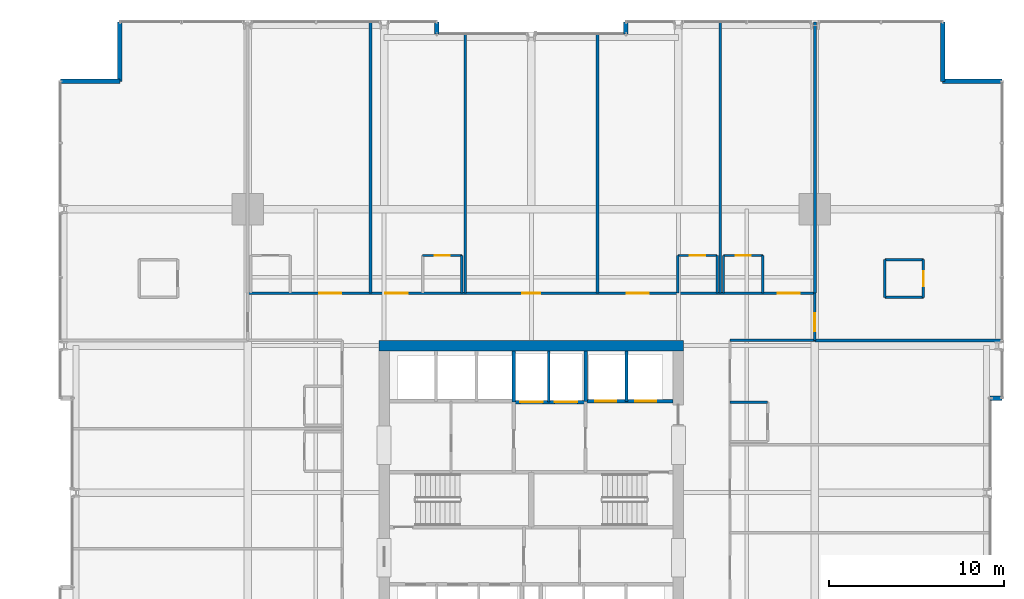
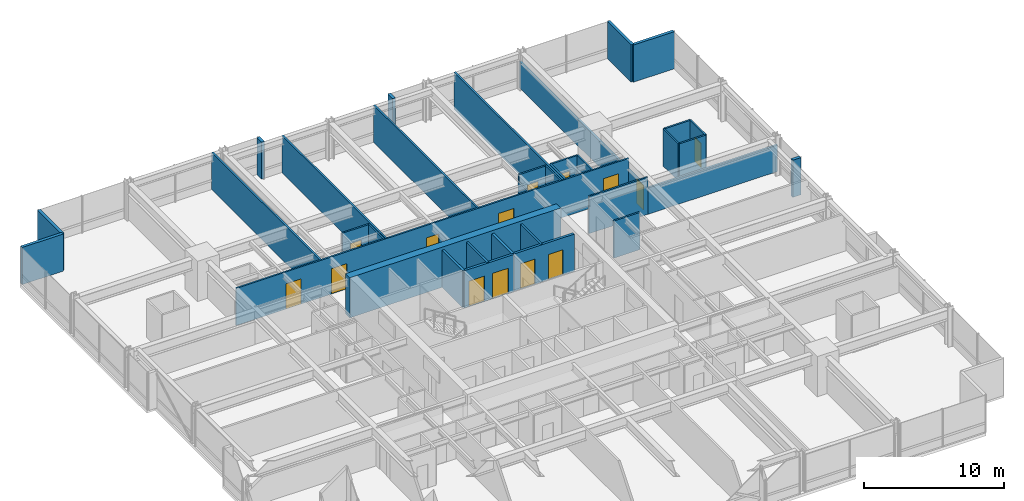
# One storey, part 33 of 38: 36 walls, 14 doors, 14 openings.
"""IFC4 building model written with IfcOpenShell, lengths in metres."""

from ifc_helpers import new_model, si_unit, direction, frame, frame_2d, origin, place, context, subcontext, project, spatial, rectangle, extrude, material, layer, layer_set, type_object, element, fill, save


model = new_model("IFC4")

# Units and contexts
model_context = context("Model", 3, precision=1e-05, world=origin(), true_north=direction((0.0, 1.0)))
body_context = subcontext(model_context, "Body", "Model", "MODEL_VIEW")
ifc_project = project(units=[si_unit("LENGTHUNIT", "METRE"), si_unit("AREAUNIT", "SQUARE_METRE"), si_unit("VOLUMEUNIT", "CUBIC_METRE"), si_unit("PLANEANGLEUNIT", "RADIAN"), si_unit("MASSUNIT", "GRAM", prefix="KILO")], contexts=[model_context])

# Site, building, storey
site_placement = place(None, origin())
site = spatial("IfcSite", under=ifc_project, at=site_placement, CompositionType="ELEMENT")
building_placement = place(site_placement, origin())
building = spatial("IfcBuilding", under=site, at=building_placement, Name="Drelvath Grand Hotel", CompositionType="ELEMENT")
storey_placement = place(building_placement, frame((0.0, 0.0, 57.699951171875)))
storey = spatial("IfcBuildingStorey", under=building, at=storey_placement, Name="L13", CompositionType="ELEMENT", Elevation=57.699951171875)

# Wall, openings, doors
ifc_material_1 = material(Name="Concrete C40/50", Category="concrete")
ifc_layer_1 = layer(ifc_material_1, 0.199951171875)
ifc_layer_set_1 = layer_set([ifc_layer_1], Name="Concrete C40/50")
wall_type_1 = type_object("IfcWallType", Name="Core Hoistway Fire Wall 200", PredefinedType="SOLIDWALL", material=ifc_layer_set_1)
wall_1_placement = place(storey_placement, frame((3.10009765625, 32.219970703125, 0.0), z_axis=(0.0, 0.0, 1.0), x_axis=(1.0, 0.0, 0.0)))
wall_1 = element("IfcWall", 1, at=wall_1_placement, inside=storey, type_object=wall_type_1, Name="L13 FSAE Hoistway Front Wall", PredefinedType="SOLIDWALL", context=body_context, shape_type="SweptSolid", body=[
    extrude(rectangle(XDim=5.0, YDim=0.199951171875, at=frame_2d((2.5, 0.0))), origin(), (0.0, 0.0, 1.0), 3.239990234375),
])
opening_1_placement = place(wall_1_placement, frame((0.550048828125, 0.0, 0.0)))
opening_1 = element("IfcOpeningElement", 2, at=opening_1_placement, cuts=wall_1, Name="Opening LD-FSAE-1", PredefinedType="OPENING", context=body_context, shape_type="SweptSolid", body=[
    extrude(rectangle(XDim=1.199951171875, YDim=2.199951171875, at=frame_2d((0.60009765625, 1.10009765625))), frame((0.0, 0.10986328125, 0.0), z_axis=(0.0, -1.0, 0.0), x_axis=(1.0, 0.0, 0.0)), (0.0, 0.0, 1.0), 0.219970703125),
])
opening_2_placement = place(wall_1_placement, frame((2.85009765625, 0.0, 0.0)))
opening_2 = element("IfcOpeningElement", 3, at=opening_2_placement, cuts=wall_1, Name="Opening LD-FSAE-2", PredefinedType="OPENING", context=body_context, shape_type="SweptSolid", body=[
    extrude(rectangle(XDim=1.199951171875, YDim=2.199951171875, at=frame_2d((0.60009765625, 1.10009765625))), frame((0.0, 0.10986328125, 0.0), z_axis=(0.0, -1.0, 0.0), x_axis=(1.0, 0.0, 0.0)), (0.0, 0.0, 1.0), 0.219970703125),
])
ifc_material_2 = material(Name="Stainless Steel S355", Category="steel")
door_type_1 = type_object("IfcDoorType", Name="FSAE Lift Sliding Landing Door 1200x2200", OperationType="NOTDEFINED", PredefinedType="DOOR", material=ifc_material_2)
door_1_placement = place(opening_1_placement, origin())
door_1 = element("IfcDoor", 4, at=door_1_placement, inside=storey, type_object=door_type_1, Name="L13 Lift FSAE-1 Landing Door", OperationType="SLIDING_TO_LEFT", OverallHeight=2.199951171875, OverallWidth=1.199951171875, PredefinedType="DOOR", context=body_context, shape_type="SweptSolid", body=[
    extrude(rectangle(XDim=1.199951171875, YDim=2.199951171875, at=frame_2d((0.60009765625, 1.10009765625))), frame((0.0, 0.02490234375, 0.0), z_axis=(0.0, -1.0, 0.0), x_axis=(1.0, 0.0, 0.0)), (0.0, 0.0, 1.0), 0.050048828125),
])
fill(opening_1, door_1)
door_2_placement = place(opening_2_placement, origin())
door_2 = element("IfcDoor", 5, at=door_2_placement, inside=storey, type_object=door_type_1, Name="L13 Lift FSAE-2 Landing Door", OperationType="SLIDING_TO_LEFT", OverallHeight=2.199951171875, OverallWidth=1.199951171875, PredefinedType="DOOR", context=body_context, shape_type="SweptSolid", body=[
    extrude(rectangle(XDim=1.199951171875, YDim=2.199951171875, at=frame_2d((0.60009765625, 1.10009765625))), frame((0.0, 0.02490234375, 0.0), z_axis=(0.0, -1.0, 0.0), x_axis=(1.0, 0.0, 0.0)), (0.0, 0.0, 1.0), 0.050048828125),
])
fill(opening_2, door_2)

# Wall
wall_2_placement = place(storey_placement, frame((3.10009765625, 32.219970703125, 0.0), z_axis=(0.0, 0.0, 1.0), x_axis=(0.0, 1.0, 0.0)))
element("IfcWall", 6, at=wall_2_placement, inside=storey, type_object=wall_type_1, Name="L13 FSAE Hoistway West Wall", PredefinedType="SOLIDWALL", context=body_context, shape_type="SweptSolid", body=[
    extrude(rectangle(XDim=2.880126953125, YDim=0.199951171875, at=frame_2d((1.43994140625, 0.0))), origin(), (0.0, 0.0, 1.0), 3.239990234375),
])

# Wall, openings, doors
wall_3_placement = place(storey_placement, frame((-1.0, 32.179931640625, 0.0), z_axis=(0.0, 0.0, 1.0), x_axis=(1.0, 0.0, 0.0)))
wall_3 = element("IfcWall", 7, at=wall_3_placement, inside=storey, type_object=wall_type_1, Name="L13 Service Lift Hoistway Wall", PredefinedType="SOLIDWALL", context=body_context, shape_type="SweptSolid", body=[
    extrude(rectangle(XDim=4.10009765625, YDim=0.199951171875, at=frame_2d((2.050048828125, 0.0))), origin(), (0.0, 0.0, 1.0), 3.239990234375),
])
opening_3_placement = place(wall_3_placement, frame((0.3701171875, 0.0, 0.0)))
opening_3 = element("IfcOpeningElement", 8, at=opening_3_placement, cuts=wall_3, Name="Opening LD-SV-2", PredefinedType="OPENING", context=body_context, shape_type="SweptSolid", body=[
    extrude(rectangle(XDim=1.300048828125, YDim=2.199951171875, at=frame_2d((0.64990234375, 1.10009765625))), frame((0.0, 0.10986328125, 0.0), z_axis=(0.0, -1.0, 0.0), x_axis=(1.0, 0.0, 0.0)), (0.0, 0.0, 1.0), 0.219970703125),
])
opening_4_placement = place(wall_3_placement, frame((2.330078125, 0.0, 0.0)))
opening_4 = element("IfcOpeningElement", 9, at=opening_4_placement, cuts=wall_3, Name="Opening LD-SV-1", PredefinedType="OPENING", context=body_context, shape_type="SweptSolid", body=[
    extrude(rectangle(XDim=1.300048828125, YDim=2.199951171875, at=frame_2d((0.64990234375, 1.10009765625))), frame((0.0, 0.10986328125, 0.0), z_axis=(0.0, -1.0, 0.0), x_axis=(1.0, 0.0, 0.0)), (0.0, 0.0, 1.0), 0.219970703125),
])
door_type_2 = type_object("IfcDoorType", Name="Service Lift Sliding Landing Door 1300x2200", OperationType="NOTDEFINED", PredefinedType="DOOR", material=ifc_material_2)
door_3_placement = place(opening_3_placement, origin())
door_3 = element("IfcDoor", 10, at=door_3_placement, inside=storey, type_object=door_type_2, Name="L13 Lift SV-2 Landing Door", OperationType="SLIDING_TO_LEFT", OverallHeight=2.199951171875, OverallWidth=1.300048828125, PredefinedType="DOOR", context=body_context, shape_type="SweptSolid", body=[
    extrude(rectangle(XDim=1.300048828125, YDim=2.199951171875, at=frame_2d((0.64990234375, 1.10009765625))), frame((0.0, 0.02490234375, 0.0), z_axis=(0.0, -1.0, 0.0), x_axis=(1.0, 0.0, 0.0)), (0.0, 0.0, 1.0), 0.050048828125),
])
fill(opening_3, door_3)
door_4_placement = place(opening_4_placement, origin())
door_4 = element("IfcDoor", 11, at=door_4_placement, inside=storey, type_object=door_type_2, Name="L13 Lift SV-1 Landing Door", OperationType="SLIDING_TO_LEFT", OverallHeight=2.199951171875, OverallWidth=1.300048828125, PredefinedType="DOOR", context=body_context, shape_type="SweptSolid", body=[
    extrude(rectangle(XDim=1.300048828125, YDim=2.199951171875, at=frame_2d((0.64990234375, 1.10009765625))), frame((0.0, 0.02490234375, 0.0), z_axis=(0.0, -1.0, 0.0), x_axis=(1.0, 0.0, 0.0)), (0.0, 0.0, 1.0), 0.050048828125),
])
fill(opening_4, door_4)

# Walls
wall_4_placement = place(storey_placement, frame((-1.0, 32.179931640625, 0.0), z_axis=(0.0, 0.0, 1.0), x_axis=(0.0, 1.0, 0.0)))
element("IfcWall", 12, at=wall_4_placement, inside=storey, type_object=wall_type_1, Name="L13 Service Lift West Wall", PredefinedType="SOLIDWALL", context=body_context, shape_type="SweptSolid", body=[
    extrude(rectangle(XDim=2.920166015625, YDim=0.199951171875, at=frame_2d((1.4599609375, 0.0))), origin(), (0.0, 0.0, 1.0), 3.239990234375),
])
ifc_material_3 = material(Name="Gypsum Fireboard Partition")
ifc_layer_2 = layer(ifc_material_3, 0.1650390625)
ifc_layer_set_2 = layer_set([ifc_layer_2], Name="Gypsum Fireboard Partition")
wall_type_2 = type_object("IfcWallType", Name="Core Shaft Partition 165", PredefinedType="PARTITIONING", material=ifc_layer_set_2)
wall_5_placement = place(storey_placement, frame((5.449951171875, 32.219970703125, 0.0), z_axis=(0.0, 0.0, 1.0), x_axis=(0.0, 1.0, 0.0)))
element("IfcWall", 13, at=wall_5_placement, inside=storey, type_object=wall_type_2, Name="L13 FSAE Hoistway Divider", PredefinedType="PARTITIONING", context=body_context, shape_type="SweptSolid", body=[
    extrude(rectangle(XDim=2.880126953125, YDim=0.1650390625, at=frame_2d((1.43994140625, 0.0))), origin(), (0.0, 0.0, 1.0), 3.239990234375),
])
wall_6_placement = place(storey_placement, frame((1.0, 32.179931640625, 0.0), z_axis=(0.0, 0.0, 1.0), x_axis=(0.0, 1.0, 0.0)))
element("IfcWall", 14, at=wall_6_placement, inside=storey, type_object=wall_type_2, Name="L13 Service Lift Divider", PredefinedType="PARTITIONING", context=body_context, shape_type="SweptSolid", body=[
    extrude(rectangle(XDim=2.920166015625, YDim=0.1650390625, at=frame_2d((1.4599609375, 0.0))), origin(), (0.0, 0.0, 1.0), 3.239990234375),
])

# Wall, openings, doors
ifc_layer_3 = layer(ifc_material_3, 0.135009765625)
ifc_layer_set_3 = layer_set([ifc_layer_3], Name="Gypsum Fireboard Partition")
wall_type_3 = type_object("IfcWallType", Name="Corridor Fire Barrier Wall 135", PredefinedType="PARTITIONING", material=ifc_layer_set_3)
wall_7_placement = place(storey_placement, frame((-16.199951171875, 38.39990234375, 0.0), z_axis=(0.0, 0.0, 1.0), x_axis=(1.0, 0.0, 0.0)))
wall_7 = element("IfcWall", 15, at=wall_7_placement, inside=storey, type_object=wall_type_3, Name="L13 North Corridor Wall", PredefinedType="PARTITIONING", context=body_context, shape_type="SweptSolid", body=[
    extrude(rectangle(XDim=32.39990234375, YDim=0.135009765625, at=frame_2d((16.199951171875, 0.0))), origin(), (0.0, 0.0, 1.0), 3.239990234375),
])
opening_5_placement = place(wall_7_placement, frame((4.094970703125, 0.0, 0.0)))
opening_5 = element("IfcOpeningElement", 16, at=opening_5_placement, cuts=wall_7, Name="Opening D-T1G3-035", PredefinedType="OPENING", context=body_context, shape_type="SweptSolid", body=[
    extrude(rectangle(XDim=1.260009765625, YDim=2.199951171875, at=frame_2d((0.6298828125, 1.10009765625))), frame((0.0, 0.077392578125, 0.0), z_axis=(0.0, -1.0, 0.0), x_axis=(1.0, 0.0, 0.0)), (0.0, 0.0, 1.0), 0.155029296875),
])
opening_6_placement = place(wall_7_placement, frame((7.875, 0.0, 0.0)))
opening_6 = element("IfcOpeningElement", 17, at=opening_6_placement, cuts=wall_7, Name="Opening D-T1G3-037", PredefinedType="OPENING", context=body_context, shape_type="SweptSolid", body=[
    extrude(rectangle(XDim=1.260009765625, YDim=2.199951171875, at=frame_2d((0.6298828125, 1.10009765625))), frame((0.0, 0.077392578125, 0.0), z_axis=(0.0, -1.0, 0.0), x_axis=(1.0, 0.0, 0.0)), (0.0, 0.0, 1.0), 0.155029296875),
])
opening_7_placement = place(wall_7_placement, frame((15.68994140625, 0.0, 0.0)))
opening_7 = element("IfcOpeningElement", 18, at=opening_7_placement, cuts=wall_7, Name="Opening D-T1G3-038", PredefinedType="OPENING", context=body_context, shape_type="SweptSolid", body=[
    extrude(rectangle(XDim=1.02001953125, YDim=2.14990234375, at=frame_2d((0.510009765625, 1.074951171875))), frame((0.0, 0.077392578125, 0.0), z_axis=(0.0, -1.0, 0.0), x_axis=(1.0, 0.0, 0.0)), (0.0, 0.0, 1.0), 0.155029296875),
])
opening_8_placement = place(wall_7_placement, frame((21.64501953125, 0.0, 0.0)))
opening_8 = element("IfcOpeningElement", 19, at=opening_8_placement, cuts=wall_7, Name="Opening D-T1G3-040", PredefinedType="OPENING", context=body_context, shape_type="SweptSolid", body=[
    extrude(rectangle(XDim=1.260009765625, YDim=2.199951171875, at=frame_2d((0.6298828125, 1.10009765625))), frame((0.0, 0.077392578125, 0.0), z_axis=(0.0, -1.0, 0.0), x_axis=(1.0, 0.0, 0.0)), (0.0, 0.0, 1.0), 0.155029296875),
])
opening_9_placement = place(wall_7_placement, frame((30.284912109375, 0.0, 0.0)))
opening_9 = element("IfcOpeningElement", 20, at=opening_9_placement, cuts=wall_7, Name="Opening D-T1G3-042", PredefinedType="OPENING", context=body_context, shape_type="SweptSolid", body=[
    extrude(rectangle(XDim=1.260009765625, YDim=2.199951171875, at=frame_2d((0.6298828125, 1.10009765625))), frame((0.0, 0.077392578125, 0.0), z_axis=(0.0, -1.0, 0.0), x_axis=(1.0, 0.0, 0.0)), (0.0, 0.0, 1.0), 0.155029296875),
])
ifc_material_4 = material(Name="Hardwood Walnut Timber", Category="wood")
door_type_3 = type_object("IfcDoorType", Name="Amenity Meeting Fire Door 1020x2150", OperationType="NOTDEFINED", PredefinedType="DOOR", material=ifc_material_4)
door_5_placement = place(opening_7_placement, origin())
door_5 = element("IfcDoor", 21, at=door_5_placement, inside=storey, type_object=door_type_3, Name="L13 Briefing Seminar Room Entry Door", OperationType="SINGLE_SWING_LEFT", OverallHeight=2.14990234375, OverallWidth=1.02001953125, PredefinedType="DOOR", context=body_context, shape_type="SweptSolid", body=[
    extrude(rectangle(XDim=1.02001953125, YDim=2.14990234375, at=frame_2d((0.510009765625, 1.074951171875))), frame((0.0, 0.02490234375, 0.0), z_axis=(0.0, -1.0, 0.0), x_axis=(1.0, 0.0, 0.0)), (0.0, 0.0, 1.0), 0.050048828125),
])
fill(opening_7, door_5)
door_type_4 = type_object("IfcDoorType", Name="Suite Entrance Fire Door 1260x2200", OperationType="NOTDEFINED", PredefinedType="DOOR", material=ifc_material_4)
door_6_placement = place(opening_5_placement, origin())
door_6 = element("IfcDoor", 22, at=door_6_placement, inside=storey, type_object=door_type_4, Name="L13 Corner Suite Entry Door", OperationType="SINGLE_SWING_RIGHT", OverallHeight=2.199951171875, OverallWidth=1.260009765625, PredefinedType="DOOR", context=body_context, shape_type="SweptSolid", body=[
    extrude(rectangle(XDim=1.260009765625, YDim=2.199951171875, at=frame_2d((0.6298828125, 1.10009765625))), frame((0.0, 0.02490234375, 0.0), z_axis=(0.0, -1.0, 0.0), x_axis=(1.0, 0.0, 0.0)), (0.0, 0.0, 1.0), 0.050048828125),
])
fill(opening_5, door_6)
door_7_placement = place(opening_6_placement, origin())
door_7 = element("IfcDoor", 23, at=door_7_placement, inside=storey, type_object=door_type_4, Name="L13 Corner Suite Entry Door", OperationType="SINGLE_SWING_RIGHT", OverallHeight=2.199951171875, OverallWidth=1.260009765625, PredefinedType="DOOR", context=body_context, shape_type="SweptSolid", body=[
    extrude(rectangle(XDim=1.260009765625, YDim=2.199951171875, at=frame_2d((0.6298828125, 1.10009765625))), frame((0.0, 0.02490234375, 0.0), z_axis=(0.0, -1.0, 0.0), x_axis=(1.0, 0.0, 0.0)), (0.0, 0.0, 1.0), 0.050048828125),
])
fill(opening_6, door_7)
door_8_placement = place(opening_8_placement, origin())
door_8 = element("IfcDoor", 24, at=door_8_placement, inside=storey, type_object=door_type_4, Name="L13 Corner Suite Entry Door", OperationType="SINGLE_SWING_LEFT", OverallHeight=2.199951171875, OverallWidth=1.260009765625, PredefinedType="DOOR", context=body_context, shape_type="SweptSolid", body=[
    extrude(rectangle(XDim=1.260009765625, YDim=2.199951171875, at=frame_2d((0.6298828125, 1.10009765625))), frame((0.0, 0.02490234375, 0.0), z_axis=(0.0, -1.0, 0.0), x_axis=(1.0, 0.0, 0.0)), (0.0, 0.0, 1.0), 0.050048828125),
])
fill(opening_8, door_8)
door_9_placement = place(opening_9_placement, origin())
door_9 = element("IfcDoor", 25, at=door_9_placement, inside=storey, type_object=door_type_4, Name="L13 Corner Suite Entry Door", OperationType="SINGLE_SWING_LEFT", OverallHeight=2.199951171875, OverallWidth=1.260009765625, PredefinedType="DOOR", context=body_context, shape_type="SweptSolid", body=[
    extrude(rectangle(XDim=1.260009765625, YDim=2.199951171875, at=frame_2d((0.6298828125, 1.10009765625))), frame((0.0, 0.02490234375, 0.0), z_axis=(0.0, -1.0, 0.0), x_axis=(1.0, 0.0, 0.0)), (0.0, 0.0, 1.0), 0.050048828125),
])
fill(opening_9, door_9)

# Wall
wall_8_placement = place(storey_placement, frame((11.35009765625, 35.699951171875, 0.0), z_axis=(0.0, 0.0, 1.0), x_axis=(1.0, 0.0, 0.0)))
element("IfcWall", 26, at=wall_8_placement, inside=storey, type_object=wall_type_3, Name="L13 NE Spur Inner Wall", PredefinedType="PARTITIONING", context=body_context, shape_type="SweptSolid", body=[
    extrude(rectangle(XDim=4.849853515625, YDim=0.135009765625, at=frame_2d((2.4248046875, 0.0))), origin(), (0.0, 0.0, 1.0), 3.239990234375),
])

# Wall, opening, door
wall_9_placement = place(storey_placement, frame((16.199951171875, 35.699951171875, 0.0), z_axis=(0.0, 0.0, 1.0), x_axis=(0.0, 1.0, 0.0)))
wall_9 = element("IfcWall", 27, at=wall_9_placement, inside=storey, type_object=wall_type_3, Name="L13 North Corridor East End", PredefinedType="PARTITIONING", context=body_context, shape_type="SweptSolid", body=[
    extrude(rectangle(XDim=2.699951171875, YDim=0.135009765625, at=frame_2d((1.35009765625, 0.0))), origin(), (0.0, 0.0, 1.0), 2.29833984375),
])
opening_10_placement = place(wall_9_placement, frame((0.52001953125, 0.0, 0.0)))
opening_10 = element("IfcOpeningElement", 28, at=opening_10_placement, cuts=wall_9, Name="Opening D-T1G3-024", PredefinedType="OPENING", context=body_context, shape_type="SweptSolid", body=[
    extrude(rectangle(XDim=1.02001953125, YDim=2.14990234375, at=frame_2d((0.510009765625, 1.074951171875))), frame((0.0, 0.077392578125, 0.0), z_axis=(0.0, -1.0, 0.0), x_axis=(1.0, 0.0, 0.0)), (0.0, 0.0, 1.0), 0.155029296875),
])
door_10_placement = place(opening_10_placement, origin())
door_10 = element("IfcDoor", 29, at=door_10_placement, inside=storey, type_object=door_type_3, Name="L13 Corner Suite Entry Door", OperationType="SINGLE_SWING_LEFT", OverallHeight=2.14990234375, OverallWidth=1.02001953125, PredefinedType="DOOR", context=body_context, shape_type="SweptSolid", body=[
    extrude(rectangle(XDim=1.02001953125, YDim=2.14990234375, at=frame_2d((0.510009765625, 1.074951171875))), frame((0.0, 0.02490234375, 0.0), z_axis=(0.0, -1.0, 0.0), x_axis=(1.0, 0.0, 0.0)), (0.0, 0.0, 1.0), 0.050048828125),
])
fill(opening_10, door_10)

# Walls
ifc_material_5 = material(Name="Moisture-Resistant Gypsum Board")
ifc_layer_4 = layer(ifc_material_5, 0.139892578125)
ifc_layer_set_4 = layer_set([ifc_layer_4], Name="Moisture-Resistant Gypsum Board")
wall_type_4 = type_object("IfcWallType", Name="En-Suite Plumbing Wall 140", PredefinedType="PLUMBINGWALL", material=ifc_layer_set_4)
for number, where, z_axis, x_axis, name in (
    (30, (20.199951171875, 38.159912109375, 0.0), (0.0, 0.0, 1.0), (1.0, 0.0, 0.0), "L13 Corner En-Suite South"),
    (31, (20.199951171875, 40.31005859375, 0.0), (0.0, 0.0, 1.0), (1.0, 0.0, 0.0), "L13 Corner En-Suite North"),
):
    element("IfcWall", number, at=place(storey_placement, frame(where, z_axis=z_axis, x_axis=x_axis)), inside=storey, type_object=wall_type_4, Name=name, PredefinedType="PLUMBINGWALL", context=body_context, shape_type="SweptSolid", body=[
        extrude(rectangle(XDim=2.199951171875, YDim=0.139892578125, at=frame_2d((1.10009765625, 0.0))), origin(), (0.0, 0.0, 1.0), 3.239990234375),
    ])
wall_10_placement = place(storey_placement, frame((20.199951171875, 38.159912109375, 0.0), z_axis=(0.0, 0.0, 1.0), x_axis=(0.0, 1.0, 0.0)))
element("IfcWall", 32, at=wall_10_placement, inside=storey, type_object=wall_type_4, Name="L13 Corner En-Suite West", PredefinedType="PLUMBINGWALL", context=body_context, shape_type="SweptSolid", body=[
    extrude(rectangle(XDim=2.150146484375, YDim=0.139892578125, at=frame_2d((1.0751953125, 0.0))), origin(), (0.0, 0.0, 1.0), 3.239990234375),
])

# Wall, opening, door
wall_11_placement = place(storey_placement, frame((22.39990234375, 38.159912109375, 0.0), z_axis=(0.0, 0.0, 1.0), x_axis=(0.0, 1.0, 0.0)))
wall_11 = element("IfcWall", 33, at=wall_11_placement, inside=storey, type_object=wall_type_4, Name="L13 Corner En-Suite East", PredefinedType="PLUMBINGWALL", context=body_context, shape_type="SweptSolid", body=[
    extrude(rectangle(XDim=2.150146484375, YDim=0.139892578125, at=frame_2d((1.0751953125, 0.0))), origin(), (0.0, 0.0, 1.0), 3.239990234375),
])
opening_11_placement = place(wall_11_placement, frame((0.6201171875, 0.0, 0.0)))
opening_11 = element("IfcOpeningElement", 34, at=opening_11_placement, cuts=wall_11, Name="Opening D-T1G3-023", PredefinedType="OPENING", context=body_context, shape_type="SweptSolid", body=[
    extrude(rectangle(XDim=0.8798828125, YDim=2.10009765625, at=frame_2d((0.43994140625, 1.050048828125))), frame((0.0, 0.079833984375, 0.0), z_axis=(0.0, -1.0, 0.0), x_axis=(1.0, 0.0, 0.0)), (0.0, 0.0, 1.0), 0.159912109375),
])
door_type_5 = type_object("IfcDoorType", Name="En-Suite Bathroom Door 880x2100", OperationType="NOTDEFINED", PredefinedType="DOOR", material=ifc_material_4)
door_11_placement = place(opening_11_placement, origin())
door_11 = element("IfcDoor", 35, at=door_11_placement, inside=storey, type_object=door_type_5, Name="L13 Corner En-Suite Door", OperationType="SINGLE_SWING_RIGHT", OverallHeight=2.10009765625, OverallWidth=0.8798828125, PredefinedType="DOOR", context=body_context, shape_type="SweptSolid", body=[
    extrude(rectangle(XDim=0.8798828125, YDim=2.10009765625, at=frame_2d((0.43994140625, 1.050048828125))), frame((0.0, 0.02490234375, 0.0), z_axis=(0.0, -1.0, 0.0), x_axis=(1.0, 0.0, 0.0)), (0.0, 0.0, 1.0), 0.050048828125),
])
fill(opening_11, door_11)

# Wall
wall_12_placement = place(storey_placement, frame((-3.9599609375, 38.39990234375, 0.0), z_axis=(0.0, 0.0, 1.0), x_axis=(0.0, 1.0, 0.0)))
element("IfcWall", 36, at=wall_12_placement, inside=storey, type_object=wall_type_4, Name="L13 En-Suite Right Wall", PredefinedType="PLUMBINGWALL", context=body_context, shape_type="SweptSolid", body=[
    extrude(rectangle(XDim=2.150146484375, YDim=0.139892578125, at=frame_2d((1.0751953125, 0.0))), origin(), (0.0, 0.0, 1.0), 3.239990234375),
])

# Wall, opening, door
wall_13_placement = place(storey_placement, frame((-6.2099609375, 40.550048828125, 0.0), z_axis=(0.0, 0.0, 1.0), x_axis=(1.0, 0.0, 0.0)))
wall_13 = element("IfcWall", 37, at=wall_13_placement, inside=storey, type_object=wall_type_4, Name="L13 En-Suite Front Wall", PredefinedType="PLUMBINGWALL", context=body_context, shape_type="SweptSolid", body=[
    extrude(rectangle(XDim=2.25, YDim=0.139892578125, at=frame_2d((1.125, 0.0))), origin(), (0.0, 0.0, 1.0), 3.239990234375),
])
opening_12_placement = place(wall_13_placement, frame((0.68505859375, 0.0, 0.0)))
opening_12 = element("IfcOpeningElement", 38, at=opening_12_placement, cuts=wall_13, Name="Opening D-T1G3-036", PredefinedType="OPENING", context=body_context, shape_type="SweptSolid", body=[
    extrude(rectangle(XDim=0.8798828125, YDim=2.10009765625, at=frame_2d((0.43994140625, 1.050048828125))), frame((0.0, 0.079833984375, 0.0), z_axis=(0.0, -1.0, 0.0), x_axis=(1.0, 0.0, 0.0)), (0.0, 0.0, 1.0), 0.159912109375),
])
door_12_placement = place(opening_12_placement, origin())
door_12 = element("IfcDoor", 39, at=door_12_placement, inside=storey, type_object=door_type_5, Name="L13 En-Suite Bathroom Door", OperationType="SINGLE_SWING_LEFT", OverallHeight=2.10009765625, OverallWidth=0.8798828125, PredefinedType="DOOR", context=body_context, shape_type="SweptSolid", body=[
    extrude(rectangle(XDim=0.8798828125, YDim=2.10009765625, at=frame_2d((0.43994140625, 1.050048828125))), frame((0.0, 0.02490234375, 0.0), z_axis=(0.0, -1.0, 0.0), x_axis=(1.0, 0.0, 0.0)), (0.0, 0.0, 1.0), 0.050048828125),
])
fill(opening_12, door_12)

# Walls
wall_14_placement = place(storey_placement, frame((8.3701171875, 38.39990234375, 0.0), z_axis=(0.0, 0.0, 1.0), x_axis=(0.0, 1.0, 0.0)))
element("IfcWall", 40, at=wall_14_placement, inside=storey, type_object=wall_type_4, Name="L13 En-Suite Left Wall", PredefinedType="PLUMBINGWALL", context=body_context, shape_type="SweptSolid", body=[
    extrude(rectangle(XDim=2.150146484375, YDim=0.139892578125, at=frame_2d((1.0751953125, 0.0))), origin(), (0.0, 0.0, 1.0), 2.617431640625),
])
wall_15_placement = place(storey_placement, frame((10.6201171875, 38.39990234375, 0.0), z_axis=(0.0, 0.0, 1.0), x_axis=(0.0, 1.0, 0.0)))
element("IfcWall", 41, at=wall_15_placement, inside=storey, type_object=wall_type_4, Name="L13 En-Suite Right Wall", PredefinedType="PLUMBINGWALL", context=body_context, shape_type="SweptSolid", body=[
    extrude(rectangle(XDim=2.150146484375, YDim=0.139892578125, at=frame_2d((1.0751953125, 0.0))), origin(), (0.0, 0.0, 1.0), 3.239990234375),
])

# Wall, opening, door
wall_16_placement = place(storey_placement, frame((8.3701171875, 40.550048828125, 0.0), z_axis=(0.0, 0.0, 1.0), x_axis=(1.0, 0.0, 0.0)))
wall_16 = element("IfcWall", 42, at=wall_16_placement, inside=storey, type_object=wall_type_4, Name="L13 En-Suite Front Wall", PredefinedType="PLUMBINGWALL", context=body_context, shape_type="SweptSolid", body=[
    extrude(rectangle(XDim=2.25, YDim=0.139892578125, at=frame_2d((1.125, 0.0))), origin(), (0.0, 0.0, 1.0), 3.239990234375),
])
opening_13_placement = place(wall_16_placement, frame((0.68505859375, 0.0, 0.0)))
opening_13 = element("IfcOpeningElement", 43, at=opening_13_placement, cuts=wall_16, Name="Opening D-T1G3-039", PredefinedType="OPENING", context=body_context, shape_type="SweptSolid", body=[
    extrude(rectangle(XDim=0.8798828125, YDim=2.10009765625, at=frame_2d((0.43994140625, 1.050048828125))), frame((0.0, 0.079833984375, 0.0), z_axis=(0.0, -1.0, 0.0), x_axis=(1.0, 0.0, 0.0)), (0.0, 0.0, 1.0), 0.159912109375),
])
door_13_placement = place(opening_13_placement, origin())
door_13 = element("IfcDoor", 44, at=door_13_placement, inside=storey, type_object=door_type_5, Name="L13 En-Suite Bathroom Door", OperationType="SINGLE_SWING_RIGHT", OverallHeight=2.10009765625, OverallWidth=0.8798828125, PredefinedType="DOOR", context=body_context, shape_type="SweptSolid", body=[
    extrude(rectangle(XDim=0.8798828125, YDim=2.10009765625, at=frame_2d((0.43994140625, 1.050048828125))), frame((0.0, 0.02490234375, 0.0), z_axis=(0.0, -1.0, 0.0), x_axis=(1.0, 0.0, 0.0)), (0.0, 0.0, 1.0), 0.050048828125),
])
fill(opening_13, door_13)

# Walls
for number, where, z_axis, x_axis, name in (
    (45, (10.97998046875, 38.39990234375, 0.0), (0.0, 0.0, 1.0), (0.0, 1.0, 0.0), "L13 En-Suite Left Wall"),
    (46, (13.22998046875, 38.39990234375, 0.0), (0.0, 0.0, 1.0), (0.0, 1.0, 0.0), "L13 En-Suite Right Wall"),
):
    element("IfcWall", number, at=place(storey_placement, frame(where, z_axis=z_axis, x_axis=x_axis)), inside=storey, type_object=wall_type_4, Name=name, PredefinedType="PLUMBINGWALL", context=body_context, shape_type="SweptSolid", body=[
        extrude(rectangle(XDim=2.150146484375, YDim=0.139892578125, at=frame_2d((1.0751953125, 0.0))), origin(), (0.0, 0.0, 1.0), 3.239990234375),
    ])

# Wall, opening, door
wall_17_placement = place(storey_placement, frame((10.97998046875, 40.550048828125, 0.0), z_axis=(0.0, 0.0, 1.0), x_axis=(1.0, 0.0, 0.0)))
wall_17 = element("IfcWall", 47, at=wall_17_placement, inside=storey, type_object=wall_type_4, Name="L13 En-Suite Front Wall", PredefinedType="PLUMBINGWALL", context=body_context, shape_type="SweptSolid", body=[
    extrude(rectangle(XDim=2.25, YDim=0.139892578125, at=frame_2d((1.125, 0.0))), origin(), (0.0, 0.0, 1.0), 3.239990234375),
])
opening_14_placement = place(wall_17_placement, frame((0.68505859375, 0.0, 0.0)))
opening_14 = element("IfcOpeningElement", 48, at=opening_14_placement, cuts=wall_17, Name="Opening D-T1G3-041", PredefinedType="OPENING", context=body_context, shape_type="SweptSolid", body=[
    extrude(rectangle(XDim=0.8798828125, YDim=2.10009765625, at=frame_2d((0.43994140625, 1.050048828125))), frame((0.0, 0.079833984375, 0.0), z_axis=(0.0, -1.0, 0.0), x_axis=(1.0, 0.0, 0.0)), (0.0, 0.0, 1.0), 0.159912109375),
])
door_14_placement = place(opening_14_placement, origin())
door_14 = element("IfcDoor", 49, at=door_14_placement, inside=storey, type_object=door_type_5, Name="L13 En-Suite Bathroom Door", OperationType="SINGLE_SWING_RIGHT", OverallHeight=2.10009765625, OverallWidth=0.8798828125, PredefinedType="DOOR", context=body_context, shape_type="SweptSolid", body=[
    extrude(rectangle(XDim=0.8798828125, YDim=2.10009765625, at=frame_2d((0.43994140625, 1.050048828125))), frame((0.0, 0.02490234375, 0.0), z_axis=(0.0, -1.0, 0.0), x_axis=(1.0, 0.0, 0.0)), (0.0, 0.0, 1.0), 0.050048828125),
])
fill(opening_14, door_14)

# Walls
wall_18_placement = place(storey_placement, frame((11.35009765625, 32.177490234375, 0.0), z_axis=(0.0, 0.0, 1.0), x_axis=(1.0, 0.0, 0.0)))
element("IfcWall", 50, at=wall_18_placement, inside=storey, type_object=wall_type_4, Name="L13 En-Suite Right Wall", PredefinedType="PLUMBINGWALL", context=body_context, shape_type="SweptSolid", body=[
    extrude(rectangle(XDim=2.14990234375, YDim=0.139892578125, at=frame_2d((1.074951171875, 0.0))), origin(), (0.0, 0.0, 1.0), 3.239990234375),
])
ifc_material_6 = material(Name="Gypsum Acoustic Partition")
ifc_layer_5 = layer(ifc_material_6, 0.14990234375)
ifc_layer_set_5 = layer_set([ifc_layer_5], Name="Gypsum Acoustic Partition")
wall_type_5 = type_object("IfcWallType", Name="Guestroom Demising Wall 150", PredefinedType="PARTITIONING", material=ifc_layer_set_5)
wall_19_placement = place(storey_placement, frame((-9.179931640625, 38.39990234375, 0.0), z_axis=(0.0, 0.0, 1.0), x_axis=(0.0, 1.0, 0.0)))
element("IfcWall", 51, at=wall_19_placement, inside=storey, type_object=wall_type_5, Name="L13 North Demising 1", PredefinedType="PARTITIONING", context=body_context, shape_type="SweptSolid", body=[
    extrude(rectangle(XDim=15.47998046875, YDim=0.14990234375, at=frame_2d((7.739990234375, 0.0))), origin(), (0.0, 0.0, 1.0), 3.239990234375),
])
for number, where, z_axis, x_axis, name in (
    (52, (-3.780029296875, 38.39990234375, 0.0), (0.0, 0.0, 1.0), (0.0, 1.0, 0.0), "L13 North Demising 2"),
    (53, (3.780029296875, 38.39990234375, 0.0), (0.0, 0.0, 1.0), (0.0, 1.0, 0.0), "L13 North Demising 3"),
):
    element("IfcWall", number, at=place(storey_placement, frame(where, z_axis=z_axis, x_axis=x_axis)), inside=storey, type_object=wall_type_5, Name=name, PredefinedType="PARTITIONING", context=body_context, shape_type="SweptSolid", body=[
        extrude(rectangle(XDim=14.800048828125, YDim=0.14990234375, at=frame_2d((7.39990234375, 0.0))), origin(), (0.0, 0.0, 1.0), 3.239990234375),
    ])
wall_20_placement = place(storey_placement, frame((10.800048828125, 38.39990234375, 0.0), z_axis=(0.0, 0.0, 1.0), x_axis=(0.0, 1.0, 0.0)))
element("IfcWall", 54, at=wall_20_placement, inside=storey, type_object=wall_type_5, Name="L13 North Demising 4", PredefinedType="PARTITIONING", context=body_context, shape_type="SweptSolid", body=[
    extrude(rectangle(XDim=15.47998046875, YDim=0.14990234375, at=frame_2d((7.739990234375, 0.0))), origin(), (0.0, 0.0, 1.0), 3.239990234375),
])
ifc_material_7 = material(Name="Concrete f'c 70 MPa", Category="concrete")
ifc_layer_6 = layer(ifc_material_7, 0.60009765625)
ifc_layer_set_6 = layer_set([ifc_layer_6], Name="Concrete f'c 70 MPa")
wall_type_6 = type_object("IfcWallType", Name="Lower Core RC Shear Wall 600", PredefinedType="SHEAR", material=ifc_layer_set_6)
wall_21_placement = place(storey_placement, frame((-8.699951171875, 35.39990234375, 0.0), z_axis=(0.0, 0.0, 1.0), x_axis=(1.0, 0.0, 0.0)))
element("IfcWall", 55, at=wall_21_placement, inside=storey, type_object=wall_type_6, Name="L13 Central Core Shear Wall N", PredefinedType="SHEAR", context=body_context, shape_type="SweptSolid", body=[
    extrude(rectangle(XDim=17.39990234375, YDim=0.60009765625, at=frame_2d((8.699951171875, 0.0))), origin(), (0.0, 0.0, 1.0), 3.5),
])
ifc_layer_7 = layer(ifc_material_6, 0.1650390625)
ifc_layer_set_7 = layer_set([ifc_layer_7], Name="Gypsum Acoustic Partition")
wall_type_7 = type_object("IfcWallType", Name="Suite Demising Wall 165", PredefinedType="PARTITIONING", material=ifc_layer_set_7)
wall_22_placement = place(storey_placement, frame((16.199951171875, 38.39990234375, 0.0), z_axis=(0.0, 0.0, 1.0), x_axis=(0.0, 1.0, 0.0)))
element("IfcWall", 56, at=wall_22_placement, inside=storey, type_object=wall_type_7, Name="L13 NE Wing Boundary Wall", PredefinedType="PARTITIONING", context=body_context, shape_type="SweptSolid", body=[
    extrude(rectangle(XDim=15.47998046875, YDim=0.1650390625, at=frame_2d((7.739990234375, 0.0))), origin(), (0.0, 0.0, 1.0), 2.29833984375),
])
wall_23_placement = place(storey_placement, frame((16.199951171875, 35.699951171875, 0.0), z_axis=(0.0, 0.0, 1.0), x_axis=(1.0, 0.0, 0.0)))
element("IfcWall", 57, at=wall_23_placement, inside=storey, type_object=wall_type_7, Name="L13 NE Corner South Wall", PredefinedType="PARTITIONING", context=body_context, shape_type="SweptSolid", body=[
    extrude(rectangle(XDim=10.679931640625, YDim=0.1650390625, at=frame_2d((5.33984375, 0.0))), origin(), (0.0, 0.0, 1.0), 2.29833984375),
])
ifc_material_8 = material(Name="Pale-Metal Insulated Aluminium Spandrel Assembly", Category="aluminium")
ifc_layer_8 = layer(ifc_material_8, 0.239990234375)
ifc_layer_set_8 = layer_set([ifc_layer_8], Name="Pale-Metal Insulated Aluminium Spandrel Assembly")
wall_type_8 = type_object("IfcWallType", Name="Tower Insulated Metal Spandrel Closure Wall 240", PredefinedType="STANDARD", material=ifc_layer_set_8)
for number, where, z_axis, x_axis, name in (
    (58, (-26.8798828125, 50.5, 0.0), (0.0, 0.0, 1.0), (1.0, 0.0, 0.0), "L13 Notched Corner Return Spandrel Wall CNW1"),
    (59, (-23.5, 50.5, 0.0), (0.0, 0.0, 1.0), (0.0, 1.0, 0.0), "L13 Notched Corner Return Spandrel Wall CNW2"),
    (60, (23.5, 53.8798828125, 0.0), (0.0, 0.0, 1.0), (0.0, -1.0, 0.0), "L13 Notched Corner Return Spandrel Wall CNE1"),
    (61, (23.5, 50.5, 0.0), (0.0, 0.0, 1.0), (1.0, 0.0, 0.0), "L13 Notched Corner Return Spandrel Wall CNE2"),
):
    element("IfcWall", number, at=place(storey_placement, frame(where, z_axis=z_axis, x_axis=x_axis)), inside=storey, type_object=wall_type_8, Name=name, PredefinedType="STANDARD", context=body_context, shape_type="SweptSolid", body=[
        extrude(rectangle(XDim=3.3798828125, YDim=0.239990234375, at=frame_2d((1.68994140625, 0.0))), origin(), (0.0, 0.0, 1.0), 3.239990234375),
    ])
for number, where, z_axis, x_axis, name in (
    (62, (26.8798828125, 32.39990234375, 0.0), (0.0, 0.0, 1.0), (-1.0, 0.0, 0.0), "L13 Notched Corner Return Spandrel Wall RE1"),
    (63, (-5.39990234375, 53.8798828125, 0.0), (0.0, 0.0, 1.0), (0.0, -1.0, 0.0), "L13 Notched Corner Return Spandrel Wall RN1"),
    (64, (5.39990234375, 53.199951171875, 0.0), (0.0, 0.0, 1.0), (0.0, 1.0, 0.0), "L13 Notched Corner Return Spandrel Wall RN2"),
):
    element("IfcWall", number, at=place(storey_placement, frame(where, z_axis=z_axis, x_axis=x_axis)), inside=storey, type_object=wall_type_8, Name=name, PredefinedType="STANDARD", context=body_context, shape_type="SweptSolid", body=[
        extrude(rectangle(XDim=0.679931640625, YDim=0.239990234375, at=frame_2d((0.33984375, 0.0))), origin(), (0.0, 0.0, 1.0), 3.239990234375),
    ])

save(model, "model.ifc")
